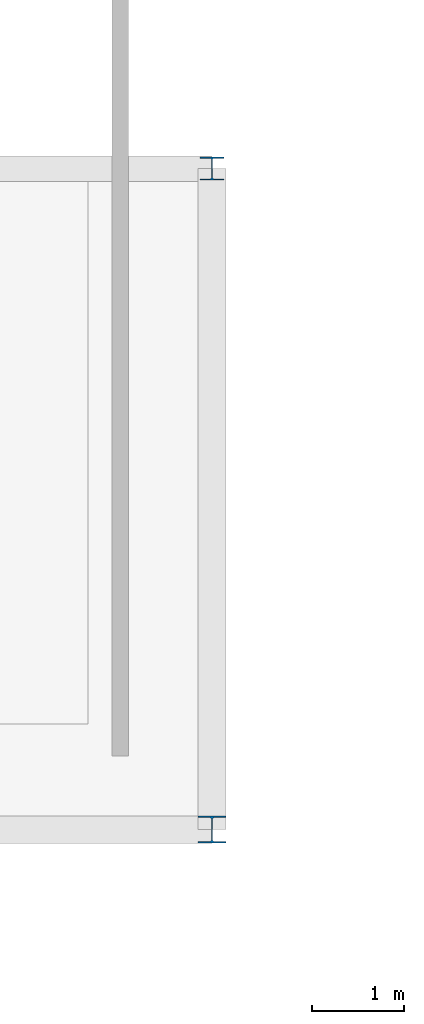
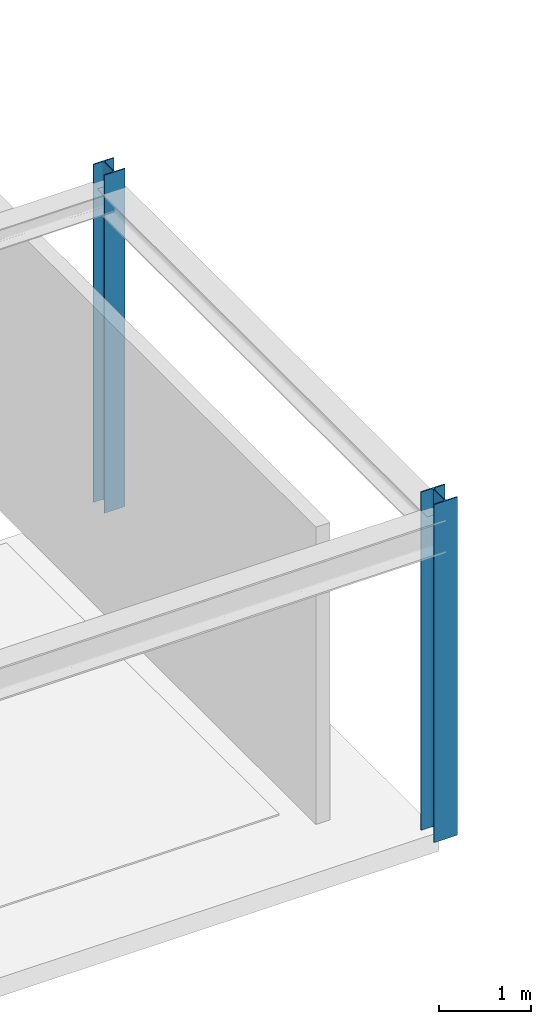
# One storey, part 25 of 106: 2 columns.
"""IFC4 building model written with IfcOpenShell, lengths in metres."""

from ifc_helpers import new_model, si_unit, derived_unit, direction, frame, origin, origin_2d, place, context, subcontext, project, spatial, i_section, extrude, material, material_profile, profile_set, type_object, element, save


model = new_model("IFC4")

# Units and contexts
model_context = context("Model", 3, precision=1e-05, world=origin(), true_north=direction((0.0, 1.0)))
body_context = subcontext(model_context, "Body", "Model", "MODEL_VIEW")
ifc_project = project(units=[si_unit("LENGTHUNIT", "METRE"), si_unit("AREAUNIT", "SQUARE_METRE"), si_unit("VOLUMEUNIT", "CUBIC_METRE"), si_unit("PLANEANGLEUNIT", "RADIAN"), si_unit("MASSUNIT", "GRAM", prefix="KILO"), derived_unit("THERMALTRANSMITTANCEUNIT", [(si_unit("POWERUNIT", "WATT"), 1), (si_unit("AREAUNIT", "SQUARE_METRE"), -1), (si_unit("THERMODYNAMICTEMPERATUREUNIT", "KELVIN"), -1)])], contexts=[model_context])

# Site, building, storey
site_placement = place(None, origin())
site = spatial("IfcSite", under=ifc_project, at=site_placement, CompositionType="ELEMENT")
building_placement = place(site_placement, origin())
building = spatial("IfcBuilding", under=site, at=building_placement, Name="Yasenodar Specialist Clinic", CompositionType="ELEMENT")
storey_placement = place(building_placement, frame((0.0, 0.0, 4.5)))
storey = spatial("IfcBuildingStorey", under=building, at=storey_placement, Name="L01", CompositionType="ELEMENT", Elevation=4.5)

# Columns
ifc_material = material(Name="Steel S355", Category="steel")
ifc_material_profile_1 = material_profile(ifc_material, i_section(OverallWidth=0.260009765625, OverallDepth=0.25, WebThickness=0.007568359375, FlangeThickness=0.012451171875, FilletRadius=0.02392578125, at=origin_2d()), Name="HEA 260")
ifc_profile_set_1 = profile_set([ifc_material_profile_1], Name="Steel S355")
column_type_1 = type_object("IfcColumnType", Name="COL-ST-HEA260", PredefinedType="COLUMN", material=ifc_profile_set_1)
column_1_placement = place(storey_placement, frame((130.199951171875, 90.0, 0.0), z_axis=(0.0, 0.0, 1.0), x_axis=(1.0, 0.0, 0.0)))
element("IfcColumn", 1, at=column_1_placement, inside=storey, type_object=column_type_1, Name="L01 Column V5R-152", PredefinedType="COLUMN", context=body_context, shape_type="SweptSolid", body=[
    extrude(i_section(OverallWidth=0.260009765625, OverallDepth=0.25, WebThickness=0.007568359375, FlangeThickness=0.012451171875, FilletRadius=0.02392578125, at=origin_2d()), origin(), (0.0, 0.0, 1.0), 4.5),
])
ifc_material_profile_2 = material_profile(ifc_material, i_section(OverallWidth=0.300048828125, OverallDepth=0.2900390625, WebThickness=0.008544921875, FlangeThickness=0.013916015625, FilletRadius=0.027099609375, at=origin_2d()), Name="HEA 300")
ifc_profile_set_2 = profile_set([ifc_material_profile_2], Name="Steel S355")
column_type_2 = type_object("IfcColumnType", Name="COL-ST-HEA300", PredefinedType="COLUMN", material=ifc_profile_set_2)
column_2_placement = place(storey_placement, frame((130.199951171875, 82.800048828125, 0.0), z_axis=(0.0, 0.0, 1.0), x_axis=(1.0, 0.0, 0.0)))
element("IfcColumn", 2, at=column_2_placement, inside=storey, type_object=column_type_2, Name="L01 Column V5R-151", PredefinedType="COLUMN", context=body_context, shape_type="SweptSolid", body=[
    extrude(i_section(OverallWidth=0.300048828125, OverallDepth=0.2900390625, WebThickness=0.008544921875, FlangeThickness=0.013916015625, FilletRadius=0.027099609375, at=origin_2d()), origin(), (0.0, 0.0, 1.0), 4.5),
])

save(model, "model.ifc")
